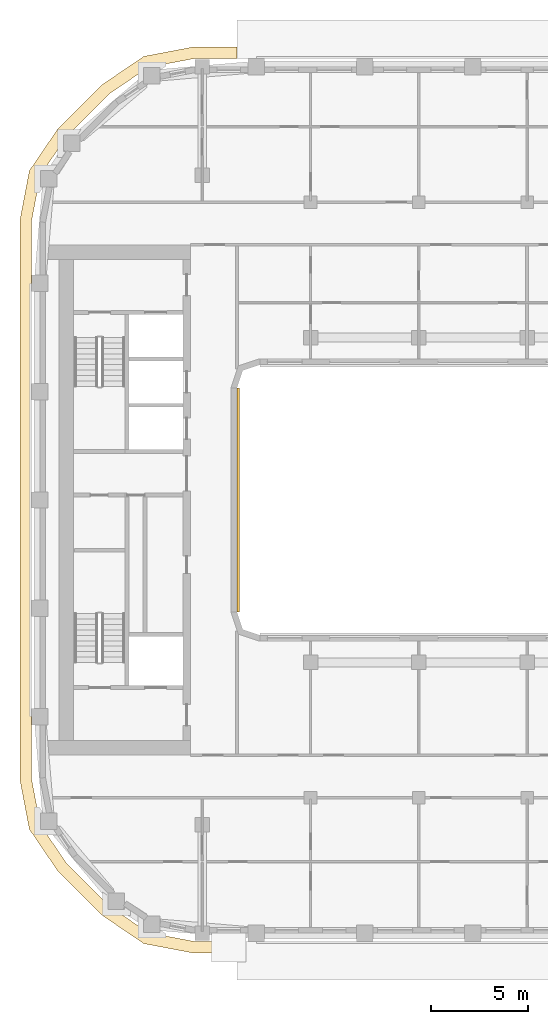
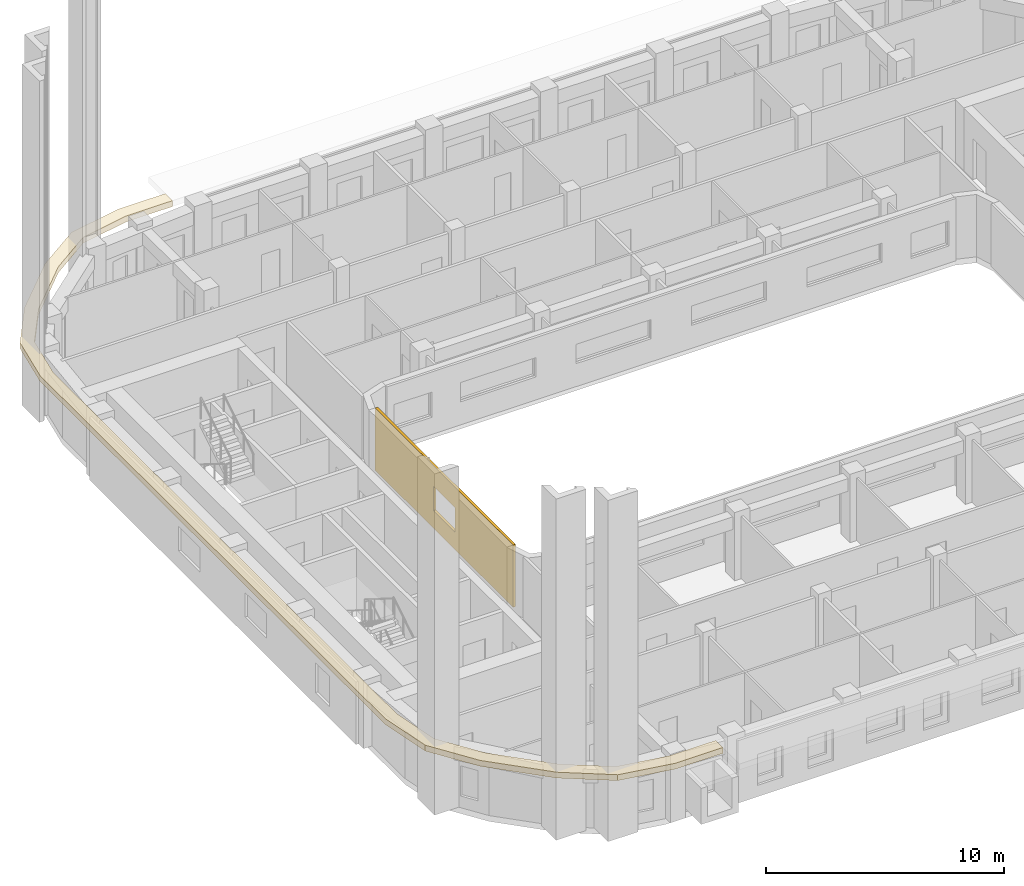
# One storey, part 13 of 21: 2 coverings.
"""IFC4 building model written with IfcOpenShell, lengths in metres."""

import ifcopenshell
import ifcopenshell.guid

model = None  # the IFC model being written
_history = None  # IfcOwnerHistory: only IFC2X3 demands one
_inside = {}  # id of a spatial element -> (the spatial element, [elements in it])
_under = {}  # id of a project, library or spatial element -> (it, [spatial elements below it])
_declared = {}  # id of a project -> (the project, [libraries it declares])
_typed = {}  # id of a type object -> (the type object, [elements of that type])
_made_of = {}  # id of a material, layer set ... -> (it, [elements and type objects made of it])


def new_model(schema):
    """Start an empty IFC model of exactly this schema.

    Asked for "IFC4X3", IfcOpenShell would pick the latest addendum, in which some entities
    have other attributes; the version numbers below select the first issue.
    IFC2X3 requires an IfcOwnerHistory on every rooted entity: one is made here for all.
    """
    global model, _history
    if schema == "IFC4X3":
        model = ifcopenshell.file(schema_version=(4, 3, 0, 0))
    else:
        model = ifcopenshell.file(schema=schema)
    _inside.clear()
    _under.clear()
    _declared.clear()
    _typed.clear()
    _made_of.clear()
    _history = None
    if model.schema == "IFC2X3":
        org = make("IfcOrganization", Name="unknown")
        user = make(
            "IfcPersonAndOrganization",
            ThePerson=make("IfcPerson", FamilyName="unknown"),
            TheOrganization=org,
        )
        app = make(
            "IfcApplication",
            ApplicationDeveloper=org,
            Version="unknown",
            ApplicationFullName="unknown",
            ApplicationIdentifier="unknown",
        )
        _history = make(
            "IfcOwnerHistory",
            OwningUser=user,
            OwningApplication=app,
            ChangeAction="ADDED",
            CreationDate=0,
        )
    return model


def make(cls, **values):
    """One entity of the class cls with the attributes given. An attribute that is None is left unset."""
    return model.create_entity(
        cls, **{name: value for name, value in values.items() if value is not None}
    )


def rooted(cls, **values):
    """An entity with a GlobalId (a new one), such as an element, a storey or a relation."""
    return make(cls, GlobalId=ifcopenshell.guid.new(), OwnerHistory=_history, **values)


def si_unit(unit_type, name, prefix=None):
    """IfcSIUnit, for example si_unit("LENGTHUNIT", "METRE", prefix="MILLI")."""
    return make("IfcSIUnit", UnitType=unit_type, Prefix=prefix, Name=name)


def assignment(units):
    """IfcUnitAssignment: the units of a project."""
    return None if units is None else make("IfcUnitAssignment", Units=units)


def point(xyz):
    """IfcCartesianPoint."""
    return None if xyz is None else make("IfcCartesianPoint", Coordinates=xyz)


def direction(xyz):
    """IfcDirection."""
    return None if xyz is None else make("IfcDirection", DirectionRatios=xyz)


def frame(location, z_axis=None, x_axis=None):
    """IfcAxis2Placement3D, a coordinate frame: its origin and axes. An axis left out is left unset."""
    return make(
        "IfcAxis2Placement3D",
        Location=point(location),
        Axis=direction(z_axis),
        RefDirection=direction(x_axis),
    )


def origin():
    """The frame at (0, 0, 0) with its axes left unset."""
    return frame((0.0, 0.0, 0.0))


def place(relative_to, where):
    """IfcLocalPlacement: puts the frame where relative to a parent placement (None: the world)."""
    return make(
        "IfcLocalPlacement", PlacementRelTo=relative_to, RelativePlacement=where
    )


def context(
    kind, dimensions, precision=None, world=None, true_north=None, identifier=None
):
    """IfcGeometricRepresentationContext, for example the 3D "Model" context."""
    return make(
        "IfcGeometricRepresentationContext",
        ContextIdentifier=identifier,
        ContextType=kind,
        CoordinateSpaceDimension=dimensions,
        Precision=precision,
        WorldCoordinateSystem=world,
        TrueNorth=true_north,
    )


def subcontext(parent, identifier, kind, view, scale=None):
    """IfcGeometricRepresentationSubContext, for example "Body" below "Model"."""
    return make(
        "IfcGeometricRepresentationSubContext",
        ContextIdentifier=identifier,
        ContextType=kind,
        ParentContext=parent,
        TargetScale=scale,
        TargetView=view,
    )


def project(units=None, contexts=None):
    """IfcProject with its units and contexts."""
    return rooted(
        "IfcProject",
        Name="project",
        RepresentationContexts=contexts,
        UnitsInContext=assignment(units),
    )


def spatial(cls, under=None, at=None, **own):
    """A site, building, storey or space (cls), placed at a placement, below another one or the project."""
    s = rooted(cls, ObjectPlacement=at, **own)
    if under is not None:
        _under.setdefault(under.id(), (under, []))[1].append(s)
    return s


def polyline(points):
    """IfcPolyline through the points."""
    return make("IfcPolyline", Points=[point(p) for p in points])


def outline(outer, holes=None, kind="AREA"):
    """IfcArbitraryClosedProfileDef: a profile drawn as a closed curve; with holes, ...WithVoids."""
    if holes is None:
        return make("IfcArbitraryClosedProfileDef", ProfileType=kind, OuterCurve=outer)
    return make(
        "IfcArbitraryProfileDefWithVoids",
        ProfileType=kind,
        OuterCurve=outer,
        InnerCurves=holes,
    )


def extrude(swept, where, along, depth):
    """IfcExtrudedAreaSolid: the profile swept, set in the frame where, extruded along a direction by depth."""
    return make(
        "IfcExtrudedAreaSolid",
        SweptArea=swept,
        Position=where,
        ExtrudedDirection=direction(along),
        Depth=depth,
    )


def shape(context_of_items, identifier, shape_type, items):
    """IfcShapeRepresentation: the items that make up one representation, for example the "Body"."""
    return make(
        "IfcShapeRepresentation",
        ContextOfItems=context_of_items,
        RepresentationIdentifier=identifier,
        RepresentationType=shape_type,
        Items=items,
    )


def material(Name=None, Category=None):
    """IfcMaterial."""
    return make("IfcMaterial", Name=Name, Category=Category)


def layer(
    of_material, thickness, ventilated=None, Name=None, Category=None, Priority=None
):
    """IfcMaterialLayer: one layer of a wall or slab, of a material (None: an air gap)."""
    return make(
        "IfcMaterialLayer",
        Material=of_material,
        LayerThickness=thickness,
        IsVentilated=ventilated,
        Name=Name,
        Category=Category,
        Priority=Priority,
    )


def layer_set(layers, Name=None):
    """IfcMaterialLayerSet."""
    return make("IfcMaterialLayerSet", MaterialLayers=layers, LayerSetName=Name)


def made_of(thing, what):
    """Note that an element or type object is made of a material, layer set ...; save() writes the relation."""
    if what is not None:
        _made_of.setdefault(what.id(), (what, []))[1].append(thing)
    return thing


def type_object(cls, material=None, **own):
    """A type object (cls), such as IfcWallType, which elements share."""
    return made_of(rooted(cls, **own), material)


def element(
    cls,
    number,
    at=None,
    inside=None,
    cuts=None,
    type_object=None,
    material=None,
    context=None,
    identifier="Body",
    shape_type=None,
    held_by="IfcProductDefinitionShape",
    body=None,
    shapes=None,
    **own,
):
    """One element of the class cls, such as IfcWall. Its Tag is "e" and its number.

    at: its placement. inside: the storey or other place that contains it. cuts: it is an
    opening in that element (IfcRelVoidsElement). A single representation is given by context,
    identifier, shape_type and body (its items); several are given by shapes. held_by: the class
    of the entity that holds the representations. save() writes the other relations.
    """
    e = rooted(cls, Tag="e%d" % number, ObjectPlacement=at, **own)
    if body is not None:
        shapes = [shape(context, identifier, shape_type, body)]
    if shapes is not None:
        e.Representation = make(held_by, Representations=shapes)
    if inside is not None:
        _inside.setdefault(inside.id(), (inside, []))[1].append(e)
    if cuts is not None:
        rooted(
            "IfcRelVoidsElement", RelatingBuildingElement=cuts, RelatedOpeningElement=e
        )
    if type_object is not None:
        _typed.setdefault(type_object.id(), (type_object, []))[1].append(e)
    return made_of(e, material)


def aggregate(whole, parts):
    """IfcRelAggregates: a whole, such as a stair, and the parts it consists of."""
    return rooted("IfcRelAggregates", RelatingObject=whole, RelatedObjects=parts)


def save(model, path):
    """Write the relations noted so far, then the file.

    IfcRelAggregates (storeys below a building ...), IfcRelContainedInSpatialStructure (elements
    in a storey), IfcRelDefinesByType, IfcRelAssociatesMaterial and IfcRelDeclares: one each for
    every whole, place, type object, material and project.
    """
    for whole, parts in _under.values():
        aggregate(whole, parts)
    for where, things in _inside.values():
        rooted(
            "IfcRelContainedInSpatialStructure",
            RelatedElements=things,
            RelatingStructure=where,
        )
    for kind, things in _typed.values():
        rooted("IfcRelDefinesByType", RelatedObjects=things, RelatingType=kind)
    for what, things in _made_of.values():
        rooted("IfcRelAssociatesMaterial", RelatedObjects=things, RelatingMaterial=what)
    for by, libraries in _declared.values():
        rooted("IfcRelDeclares", RelatingContext=by, RelatedDefinitions=libraries)
    model.write(path)


model = new_model("IFC4")

# Units and contexts
model_context = context("Model", 3, precision=1e-05, world=origin(), true_north=direction((0.0, 1.0)))
body_context = subcontext(model_context, "Body", "Model", "MODEL_VIEW")
ifc_project = project(units=[si_unit("LENGTHUNIT", "METRE"), si_unit("AREAUNIT", "SQUARE_METRE"), si_unit("VOLUMEUNIT", "CUBIC_METRE"), si_unit("PLANEANGLEUNIT", "RADIAN"), si_unit("MASSUNIT", "GRAM", prefix="KILO")], contexts=[model_context])

# Site, building, storey
site_placement = place(None, origin())
site = spatial("IfcSite", under=ifc_project, at=site_placement, CompositionType="ELEMENT")
building_placement = place(site_placement, origin())
building = spatial("IfcBuilding", under=site, at=building_placement, Name="Kiln Ring Residences", CompositionType="ELEMENT")
storey_placement = place(building_placement, frame((0.0, 0.0, 213.39990234375)))
storey = spatial("IfcBuildingStorey", under=building, at=storey_placement, Name="L55", CompositionType="ELEMENT", Elevation=213.39990234375)

# Coverings
ifc_material_1 = material(Name="Brick masonry, dark clay brick", Category="masonry")
ifc_layer_1 = layer(ifc_material_1, 0.1201171875)
ifc_layer_set_1 = layer_set([ifc_layer_1], Name="RAINSCREEN PANEL 120")
covering_type_1 = type_object("IfcCoveringType", Name="RAINSCREEN PANEL 120", PredefinedType="CLADDING", material=ifc_layer_set_1)
covering_1_placement = place(storey_placement, frame((-14.93994140625, -5.800048828125, 0.0), z_axis=(0.0, 0.0, 1.0), x_axis=(0.0, 1.0, 0.0)))
element("IfcCovering", 1, at=covering_1_placement, inside=storey, type_object=covering_type_1, Name="RAINSCREEN L55", PredefinedType="CLADDING", context=body_context, shape_type="SweptSolid", body=[
    extrude(outline(polyline([(0.0, 0.0), (11.60009765625, 0.0), (11.60009765625, 3.2001953125), (0.0, 3.2001953125), (0.0, 0.0)]), holes=[polyline([(4.89990234375, 2.150146484375), (4.89990234375, 0.900146484375), (6.699951171875, 0.900146484375), (6.699951171875, 2.150146484375), (4.89990234375, 2.150146484375)])]), frame((0.0, 0.06005859375, 0.0), z_axis=(0.0, -1.0, 0.0), x_axis=(1.0, 0.0, 0.0)), (0.0, 0.0, 1.0), 0.1201171875),
])
ifc_material_2 = material(Name="Black powder-coated steel", Category="steel")
ifc_layer_2 = layer(ifc_material_2, 0.300048828125)
ifc_layer_set_2 = layer_set([ifc_layer_2], Name="SUNSHADE FIN 600")
covering_type_2 = type_object("IfcCoveringType", Name="SUNSHADE FIN 600", PredefinedType="CLADDING", material=ifc_layer_set_2)
covering_2_placement = place(storey_placement, frame((0.0, 0.0, 3.2001953125)))
element("IfcCovering", 2, at=covering_2_placement, inside=storey, type_object=covering_type_2, Name="SUNSHADE FIN L55", PredefinedType="CLADDING", context=body_context, shape_type="SweptSolid", body=[
    extrude(outline(polyline([(-26.22509765625, -14.496826171875), (-25.742919921875, -17.02490234375), (-24.296142578125, -19.1533203125), (-21.953369140625, -21.49609375), (-19.82470703125, -22.94287109375), (-17.296875, -23.425048828125), (-15.0, -23.425048828125), (-15.0, -22.824951171875), (-17.240234375, -22.824951171875), (-19.59033203125, -22.376708984375), (-21.569091796875, -21.031982421875), (-23.831787109375, -18.769287109375), (-25.1767578125, -16.790283203125), (-25.625, -14.440185546875), (-25.625, 14.440185546875), (-25.1767578125, 16.790283203125), (-23.831787109375, 18.769287109375), (-21.569091796875, 21.031982421875), (-19.59033203125, 22.376708984375), (-17.240234375, 22.824951171875), (-15.0, 22.824951171875), (-15.0, 23.425048828125), (-17.296875, 23.425048828125), (-19.82470703125, 22.94287109375), (-21.953369140625, 21.49609375), (-24.296142578125, 19.1533203125), (-25.742919921875, 17.02490234375), (-26.22509765625, 14.496826171875), (-26.22509765625, -14.496826171875)])), origin(), (0.0, 0.0, 1.0), 0.2998046875),
])

save(model, "model.ifc")
